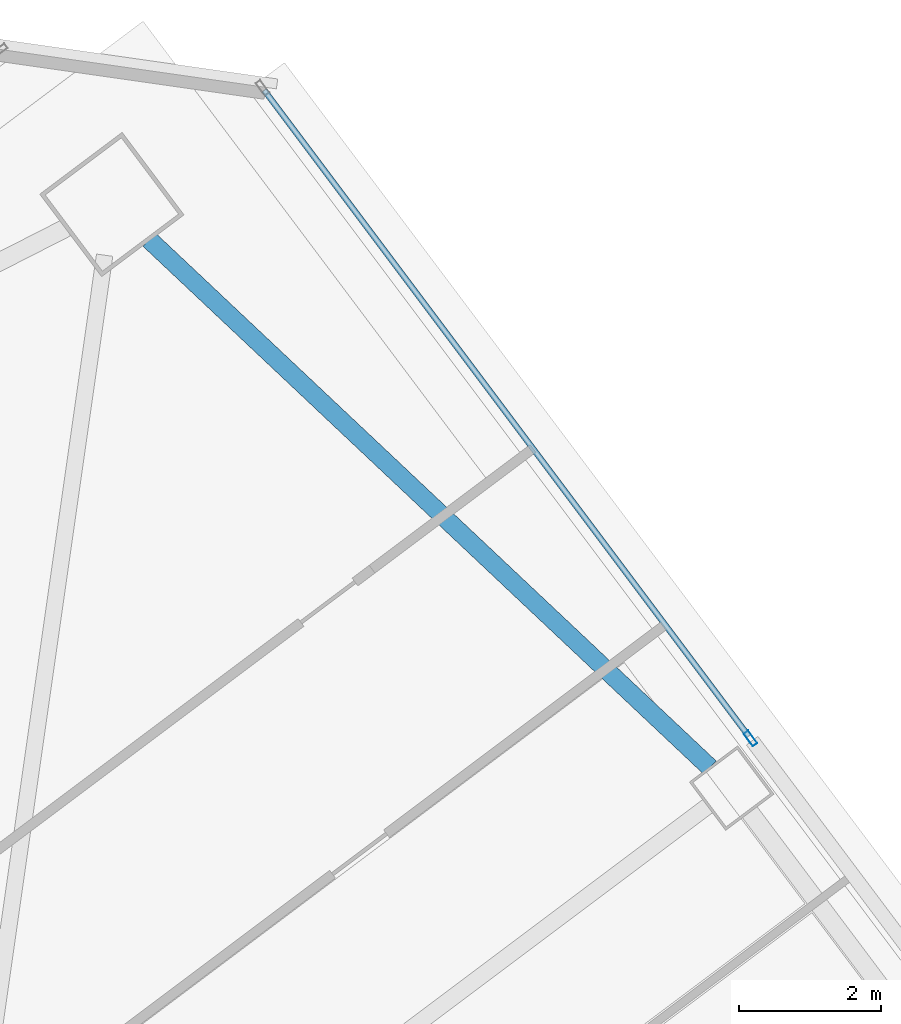
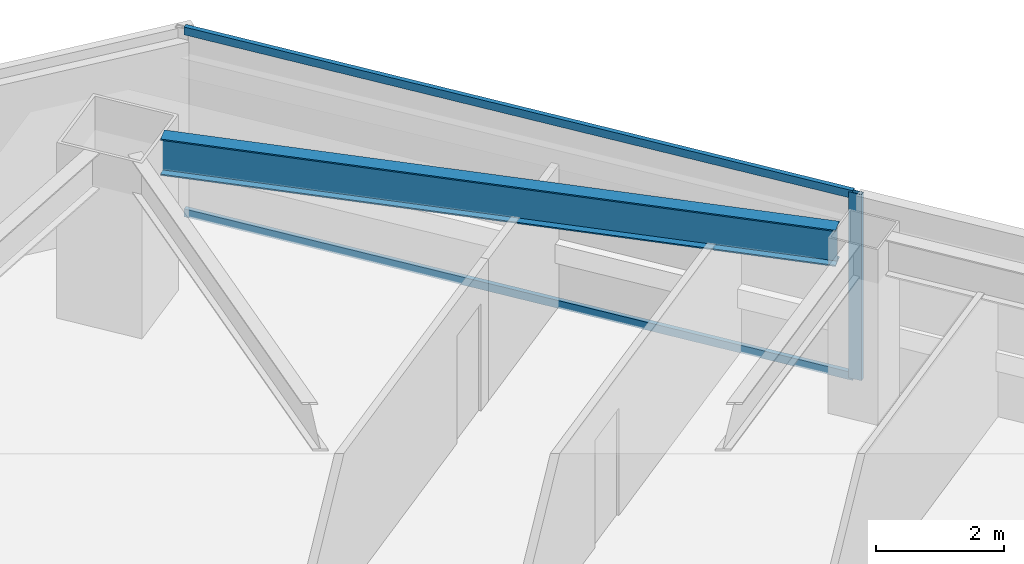
# One storey, part 31 of 46: 3 members, 1 beam, 1 element without a shape of its own.
"""IFC4 building model written with IfcOpenShell, lengths in metres."""

from ifc_helpers import new_model, si_unit, direction, frame, origin, origin_2d, place, context, subcontext, project, spatial, hollow_rectangle, i_section, extrude, material, material_profile, profile_set, type_object, element, aggregate, save


model = new_model("IFC4")

# Units and contexts
model_context = context("Model", 3, precision=1e-05, world=origin(), true_north=direction((0.0, 1.0)))
body_context = subcontext(model_context, "Body", "Model", "MODEL_VIEW")
ifc_project = project(units=[si_unit("LENGTHUNIT", "METRE"), si_unit("AREAUNIT", "SQUARE_METRE"), si_unit("VOLUMEUNIT", "CUBIC_METRE"), si_unit("PLANEANGLEUNIT", "RADIAN"), si_unit("MASSUNIT", "GRAM", prefix="KILO")], contexts=[model_context])

# Site, building, storey
site_placement = place(None, origin())
site = spatial("IfcSite", under=ifc_project, at=site_placement, CompositionType="ELEMENT")
building_placement = place(site_placement, origin())
building = spatial("IfcBuilding", under=site, at=building_placement, Name="Tashvorn Skyway Center", CompositionType="ELEMENT")
storey_placement = place(building_placement, frame((0.0, 0.0, 99.14990234375)))
storey = spatial("IfcBuildingStorey", under=building, at=storey_placement, Name="L26", CompositionType="ELEMENT", Elevation=99.14990234375)

# Beam
ifc_material_1 = material(Name="Steel ASTM A992 Grade 50", Category="steel")
ifc_material_profile_1 = material_profile(ifc_material_1, i_section(OverallWidth=0.256103515625, OverallDepth=0.693115234375, WebThickness=0.014404296875, FlangeThickness=0.023681640625, at=origin_2d()), Name="W27X114")
ifc_profile_set_1 = profile_set([ifc_material_profile_1], Name="Steel ASTM A992 Grade 50")
beam_type = type_object("IfcBeamType", Name="BM-SPANDREL-W27X114", PredefinedType="SPANDREL", material=ifc_profile_set_1)
beam_placement = place(storey_placement, frame((125.854248046875, 48.157958984375, 3.003662109375), z_axis=(-0.728086883893, 0.685484857238, 0.0), x_axis=(-0.685484857238, -0.728086883893, 0.0)))
element("IfcBeam", 1, at=beam_placement, inside=storey, type_object=beam_type, Name="Tower 2 L26 Spandrel Beam 06", PredefinedType="SPANDREL", context=body_context, shape_type="SweptSolid", body=[
    extrude(i_section(OverallWidth=0.256103515625, OverallDepth=0.693115234375, WebThickness=0.014404296875, FlangeThickness=0.023681640625, at=origin_2d()), origin(), (0.0, 0.0, 1.0), 10.8369140625),
])

# Curtain wall, members
ifc_material_2 = material(Name="Thermally broken bronze-anodized aluminium 6063-T6", Category="aluminium")
curtain_wall_type = type_object("IfcCurtainWallType", Name="CW-CW-Z2", PredefinedType="NOTDEFINED", material=ifc_material_2)
curtain_wall_placement = place(storey_placement, origin())
curtain_wall = element("IfcCurtainWall", 2, at=curtain_wall_placement, inside=storey, type_object=curtain_wall_type, Name="Tower 2 L26 East Unitised Curtain Wall Glazing Group 1", PredefinedType="NOTDEFINED")
ifc_material_profile_2 = material_profile(ifc_material_2, hollow_rectangle(XDim=0.080078125, YDim=0.219970703125, WallThickness=0.0048828125, at=origin_2d()), Name="ALU-MULL-80x220")
ifc_profile_set_2 = profile_set([ifc_material_profile_2], Name="Thermally broken bronze-anodized aluminium 6063-T6")
member_type_1 = type_object("IfcMemberType", Name="CWM-CW-Z2", PredefinedType="MULLION", material=ifc_profile_set_2)
member_1_placement = place(storey_placement, frame((126.424072265625, 48.568115234375, 0.0), z_axis=(0.0, 0.0, 1.0), x_axis=(0.799999999998, 0.600000000002, 0.0)))
member_1 = element("IfcMember", 3, at=member_1_placement, type_object=member_type_1, Name="CW-Z2 mullion 2", PredefinedType="MULLION", context=body_context, shape_type="SweptSolid", body=[
    extrude(hollow_rectangle(XDim=0.080078125, YDim=0.219970703125, WallThickness=0.0048828125, at=origin_2d()), origin(), (0.0, 0.0, 1.0), 3.550048828125),
])
ifc_material_profile_3 = material_profile(ifc_material_2, hollow_rectangle(XDim=0.080078125, YDim=0.14990234375, WallThickness=0.00439453125, at=origin_2d()), Name="ALU-TRAN-80x150")
ifc_profile_set_3 = profile_set([ifc_material_profile_3], Name="Thermally broken bronze-anodized aluminium 6063-T6")
member_type_2 = type_object("IfcMemberType", Name="CWT-CW-Z2", PredefinedType="USERDEFINED", material=ifc_profile_set_3)
member_2_placement = place(storey_placement, frame((119.583984375, 57.68798828125, 0.0400390625), z_axis=(0.6, -0.8, 0.0), x_axis=(0.8, 0.6, 0.0)))
member_2 = element("IfcMember", 4, at=member_2_placement, type_object=member_type_2, Name="CW-Z2 transom 1.1", ObjectType="TRANSOM", PredefinedType="USERDEFINED", context=body_context, shape_type="SweptSolid", body=[
    extrude(hollow_rectangle(XDim=0.080078125, YDim=0.14990234375, WallThickness=0.00439453125, at=origin_2d()), origin(), (0.0, 0.0, 1.0), 11.35986328125),
])
member_3_placement = place(storey_placement, frame((119.583984375, 57.68798828125, 3.510009765625), z_axis=(0.6, -0.8, 0.0), x_axis=(0.8, 0.6, 0.0)))
member_3 = element("IfcMember", 5, at=member_3_placement, type_object=member_type_2, Name="CW-Z2 transom 1.2", ObjectType="TRANSOM", PredefinedType="USERDEFINED", context=body_context, shape_type="SweptSolid", body=[
    extrude(hollow_rectangle(XDim=0.080078125, YDim=0.14990234375, WallThickness=0.00439453125, at=origin_2d()), origin(), (0.0, 0.0, 1.0), 11.35986328125),
])
aggregate(curtain_wall, [member_1, member_2, member_3])

save(model, "model.ifc")
